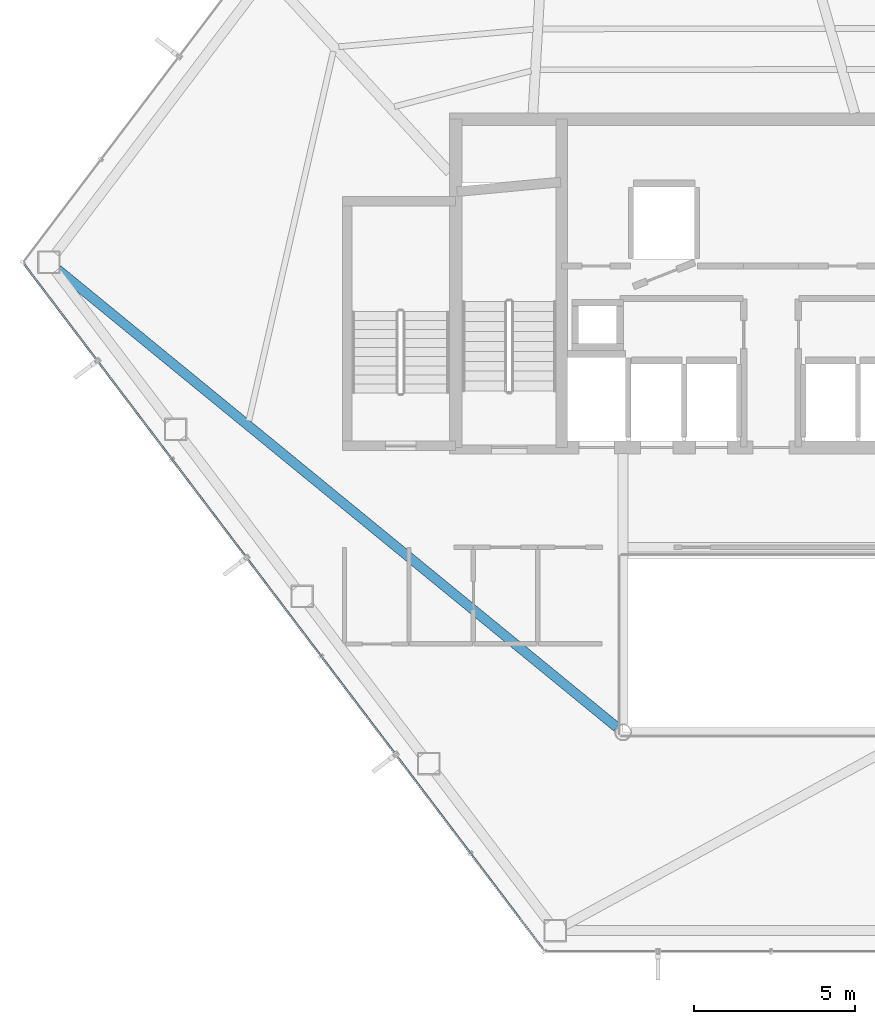
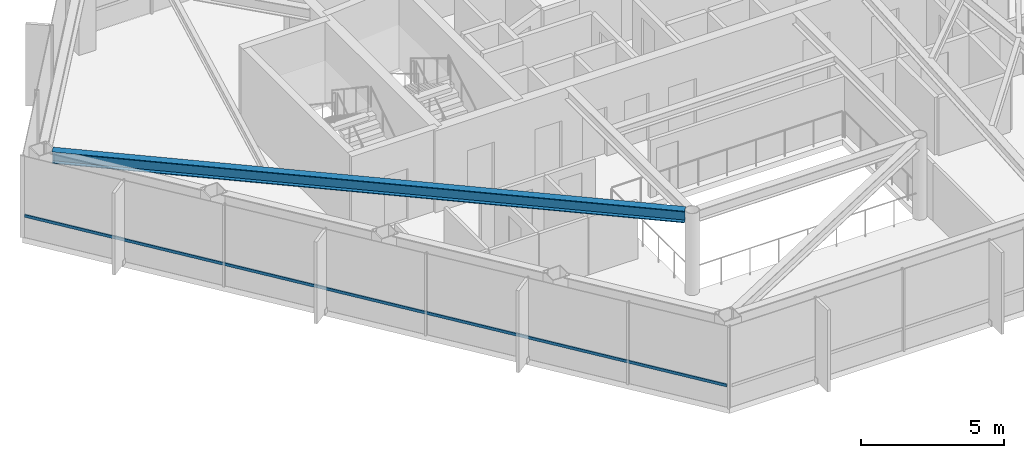
# One storey, part 4 of 28: 1 beam, 1 member, 1 element without a shape of its own.
"""IFC4 building model written with IfcOpenShell, lengths in metres."""

from ifc_helpers import new_model, si_unit, direction, frame, origin, origin_2d, place, context, subcontext, project, spatial, hollow_rectangle, i_section, extrude, material, layer, layer_set, material_profile, profile_set, type_object, element, aggregate, save


model = new_model("IFC4")

# Units and contexts
model_context = context("Model", 3, precision=1e-05, world=origin(), true_north=direction((0.0, 1.0)))
body_context = subcontext(model_context, "Body", "Model", "MODEL_VIEW")
ifc_project = project(units=[si_unit("LENGTHUNIT", "METRE"), si_unit("AREAUNIT", "SQUARE_METRE"), si_unit("VOLUMEUNIT", "CUBIC_METRE"), si_unit("PLANEANGLEUNIT", "RADIAN"), si_unit("MASSUNIT", "GRAM", prefix="KILO")], contexts=[model_context])

# Site, building, storey
site_placement = place(None, origin())
site = spatial("IfcSite", under=ifc_project, at=site_placement, CompositionType="ELEMENT")
building_placement = place(site_placement, origin())
building = spatial("IfcBuilding", under=site, at=building_placement, Name="Zarrinselat Tower", CompositionType="ELEMENT")
storey_placement = place(building_placement, frame((0.0, 0.0, 187.0)))
storey = spatial("IfcBuildingStorey", under=building, at=storey_placement, Name="L46", CompositionType="ELEMENT", Elevation=187.0)

# Beam
ifc_material_1 = material(Name="Steel S355J2", Category="steel")
ifc_material_profile_1 = material_profile(ifc_material_1, i_section(OverallWidth=0.300048828125, OverallDepth=0.5, WebThickness=0.014404296875, FlangeThickness=0.028076171875, at=origin_2d()), Name="HEB 500")
ifc_profile_set_1 = profile_set([ifc_material_profile_1], Name="Steel S355J2")
beam_type = type_object("IfcBeamType", Name="BM-HEB500", PredefinedType="BEAM", material=ifc_profile_set_1)
beam_placement = place(storey_placement, frame((16.23486328125, 38.77978515625, 3.25), z_axis=(0.773779938017, -0.633454503119, 0.0), x_axis=(0.633454503119, 0.773779938017, 0.0)))
element("IfcBeam", 1, at=beam_placement, inside=storey, type_object=beam_type, Name="L46 Radial Primary Girder RG06", PredefinedType="BEAM", context=body_context, shape_type="SweptSolid", body=[
    extrude(i_section(OverallWidth=0.300048828125, OverallDepth=0.5, WebThickness=0.014404296875, FlangeThickness=0.028076171875, at=origin_2d()), origin(), (0.0, 0.0, 1.0), 22.45068359375),
])

# Curtain wall, member
ifc_material_2 = material(Name="Extruded Aluminium Alloy EN AW-6063 T6", Category="aluminium")
ifc_layer = layer(ifc_material_2, 0.175048828125)
ifc_layer_set = layer_set([ifc_layer], Name="Extruded Aluminium Alloy EN AW-6063 T6")
curtain_wall_type = type_object("IfcCurtainWallType", Name="CWS-HTL", PredefinedType="NOTDEFINED", material=ifc_layer_set)
curtain_wall_placement = place(storey_placement, origin())
curtain_wall = element("IfcCurtainWall", 2, at=curtain_wall_placement, inside=storey, type_object=curtain_wall_type, Name="L46 Unitised Curtain Wall CW-L46-E03", PredefinedType="NOTDEFINED")
ifc_material_3 = material(Name="Extruded Aluminium Alloy EN AW-6063 T6", Category="aluminium")
ifc_material_profile_2 = material_profile(ifc_material_3, hollow_rectangle(XDim=0.06005859375, YDim=0.1201171875, WallThickness=0.00390625, at=origin_2d()), Name="RHS 120x60x4")
ifc_profile_set_2 = profile_set([ifc_material_profile_2], Name="Extruded Aluminium Alloy EN AW-6063 T6")
member_type = type_object("IfcMemberType", Name="MEM-CW-TRN2", PredefinedType="USERDEFINED", material=ifc_profile_set_2)
member_placement = place(storey_placement, frame((15.201416015625, 38.93115234375, 0.949951171875), z_axis=(0.603856102656, -0.797093349166, 0.0), x_axis=(0.797093349166, 0.603856102656, 0.0)))
member = element("IfcMember", 3, at=member_placement, type_object=member_type, Name="CW-L46-E03 Transom 1", ObjectType="TRANSOM", PredefinedType="USERDEFINED", context=body_context, shape_type="SweptSolid", body=[
    extrude(hollow_rectangle(XDim=0.06005859375, YDim=0.1201171875, WallThickness=0.00390625, at=origin_2d()), origin(), (0.0, 0.0, 1.0), 26.684814453125),
])
aggregate(curtain_wall, [member])

save(model, "model.ifc")
